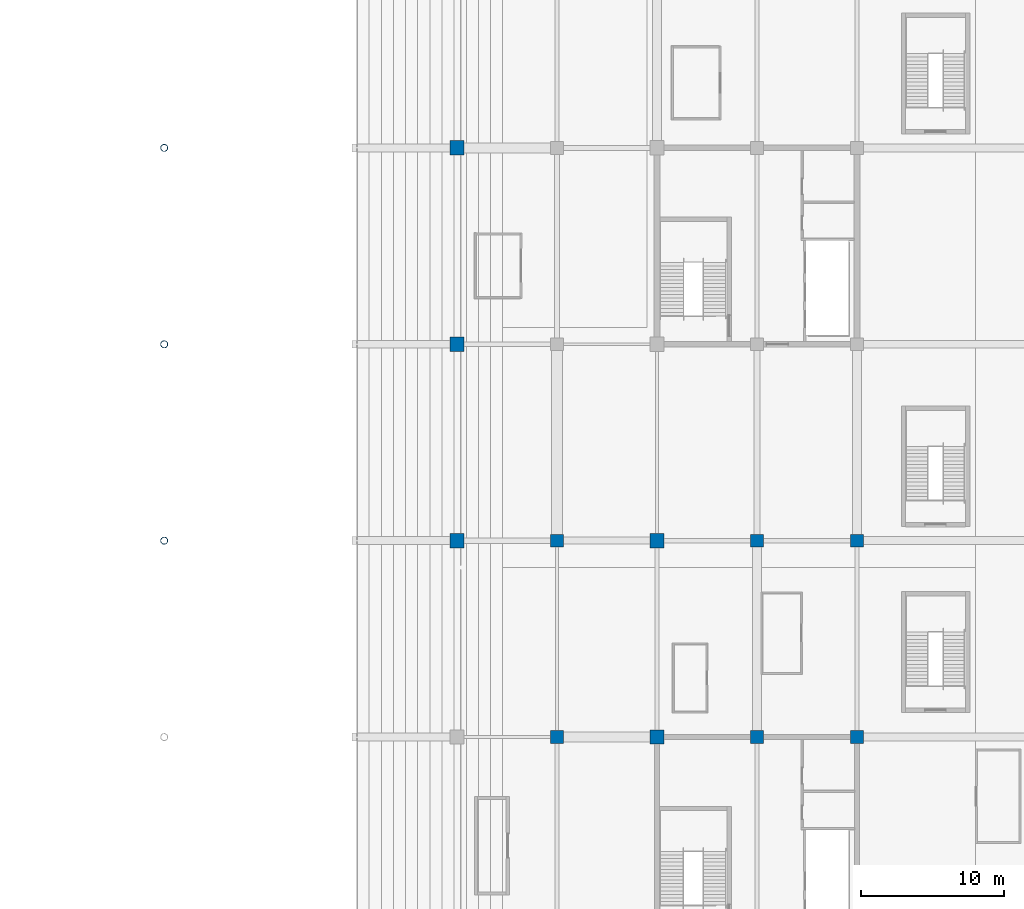
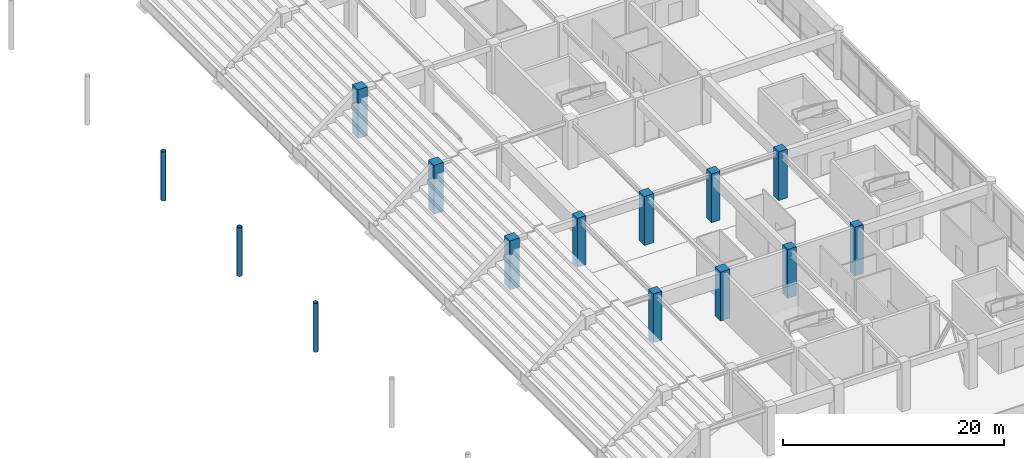
# One storey, part 13 of 117: 14 columns.
"""IFC4 building model written with IfcOpenShell, lengths in metres."""

import ifcopenshell
import ifcopenshell.guid

model = None  # the IFC model being written
_history = None  # IfcOwnerHistory: only IFC2X3 demands one
_inside = {}  # id of a spatial element -> (the spatial element, [elements in it])
_under = {}  # id of a project, library or spatial element -> (it, [spatial elements below it])
_declared = {}  # id of a project -> (the project, [libraries it declares])
_typed = {}  # id of a type object -> (the type object, [elements of that type])
_made_of = {}  # id of a material, layer set ... -> (it, [elements and type objects made of it])


def new_model(schema):
    """Start an empty IFC model of exactly this schema.

    Asked for "IFC4X3", IfcOpenShell would pick the latest addendum, in which some entities
    have other attributes; the version numbers below select the first issue.
    IFC2X3 requires an IfcOwnerHistory on every rooted entity: one is made here for all.
    """
    global model, _history
    if schema == "IFC4X3":
        model = ifcopenshell.file(schema_version=(4, 3, 0, 0))
    else:
        model = ifcopenshell.file(schema=schema)
    _inside.clear()
    _under.clear()
    _declared.clear()
    _typed.clear()
    _made_of.clear()
    _history = None
    if model.schema == "IFC2X3":
        org = make("IfcOrganization", Name="unknown")
        user = make(
            "IfcPersonAndOrganization",
            ThePerson=make("IfcPerson", FamilyName="unknown"),
            TheOrganization=org,
        )
        app = make(
            "IfcApplication",
            ApplicationDeveloper=org,
            Version="unknown",
            ApplicationFullName="unknown",
            ApplicationIdentifier="unknown",
        )
        _history = make(
            "IfcOwnerHistory",
            OwningUser=user,
            OwningApplication=app,
            ChangeAction="ADDED",
            CreationDate=0,
        )
    return model


def make(cls, **values):
    """One entity of the class cls with the attributes given. An attribute that is None is left unset."""
    return model.create_entity(
        cls, **{name: value for name, value in values.items() if value is not None}
    )


def rooted(cls, **values):
    """An entity with a GlobalId (a new one), such as an element, a storey or a relation."""
    return make(cls, GlobalId=ifcopenshell.guid.new(), OwnerHistory=_history, **values)


def si_unit(unit_type, name, prefix=None):
    """IfcSIUnit, for example si_unit("LENGTHUNIT", "METRE", prefix="MILLI")."""
    return make("IfcSIUnit", UnitType=unit_type, Prefix=prefix, Name=name)


def assignment(units):
    """IfcUnitAssignment: the units of a project."""
    return None if units is None else make("IfcUnitAssignment", Units=units)


def point(xyz):
    """IfcCartesianPoint."""
    return None if xyz is None else make("IfcCartesianPoint", Coordinates=xyz)


def direction(xyz):
    """IfcDirection."""
    return None if xyz is None else make("IfcDirection", DirectionRatios=xyz)


def frame(location, z_axis=None, x_axis=None):
    """IfcAxis2Placement3D, a coordinate frame: its origin and axes. An axis left out is left unset."""
    return make(
        "IfcAxis2Placement3D",
        Location=point(location),
        Axis=direction(z_axis),
        RefDirection=direction(x_axis),
    )


def frame_2d(location, x_axis=None):
    """IfcAxis2Placement2D, a coordinate frame in the plane: its origin and x axis."""
    return make(
        "IfcAxis2Placement2D", Location=point(location), RefDirection=direction(x_axis)
    )


def origin():
    """The frame at (0, 0, 0) with its axes left unset."""
    return frame((0.0, 0.0, 0.0))


def origin_2d():
    """The frame at (0, 0) in the plane with its x axis left unset."""
    return frame_2d((0.0, 0.0))


def place(relative_to, where):
    """IfcLocalPlacement: puts the frame where relative to a parent placement (None: the world)."""
    return make(
        "IfcLocalPlacement", PlacementRelTo=relative_to, RelativePlacement=where
    )


def context(
    kind, dimensions, precision=None, world=None, true_north=None, identifier=None
):
    """IfcGeometricRepresentationContext, for example the 3D "Model" context."""
    return make(
        "IfcGeometricRepresentationContext",
        ContextIdentifier=identifier,
        ContextType=kind,
        CoordinateSpaceDimension=dimensions,
        Precision=precision,
        WorldCoordinateSystem=world,
        TrueNorth=true_north,
    )


def subcontext(parent, identifier, kind, view, scale=None):
    """IfcGeometricRepresentationSubContext, for example "Body" below "Model"."""
    return make(
        "IfcGeometricRepresentationSubContext",
        ContextIdentifier=identifier,
        ContextType=kind,
        ParentContext=parent,
        TargetScale=scale,
        TargetView=view,
    )


def project(units=None, contexts=None):
    """IfcProject with its units and contexts."""
    return rooted(
        "IfcProject",
        Name="project",
        RepresentationContexts=contexts,
        UnitsInContext=assignment(units),
    )


def spatial(cls, under=None, at=None, **own):
    """A site, building, storey or space (cls), placed at a placement, below another one or the project."""
    s = rooted(cls, ObjectPlacement=at, **own)
    if under is not None:
        _under.setdefault(under.id(), (under, []))[1].append(s)
    return s


def profile(cls, at=None, kind="AREA", **sizes):
    """A parametric profile (cls). Its sizes go by their IFC names, for example OverallWidth=200.0."""
    return make(cls, ProfileType=kind, Position=at, **sizes)


def rectangle(**sizes):
    """IfcRectangleProfileDef."""
    return profile("IfcRectangleProfileDef", **sizes)


def hollow_circle(**sizes):
    """IfcCircleHollowProfileDef."""
    return profile("IfcCircleHollowProfileDef", **sizes)


def extrude(swept, where, along, depth):
    """IfcExtrudedAreaSolid: the profile swept, set in the frame where, extruded along a direction by depth."""
    return make(
        "IfcExtrudedAreaSolid",
        SweptArea=swept,
        Position=where,
        ExtrudedDirection=direction(along),
        Depth=depth,
    )


def shape(context_of_items, identifier, shape_type, items):
    """IfcShapeRepresentation: the items that make up one representation, for example the "Body"."""
    return make(
        "IfcShapeRepresentation",
        ContextOfItems=context_of_items,
        RepresentationIdentifier=identifier,
        RepresentationType=shape_type,
        Items=items,
    )


def material(Name=None, Category=None):
    """IfcMaterial."""
    return make("IfcMaterial", Name=Name, Category=Category)


def material_profile(
    of_material, cross_section, Name=None, Category=None, Priority=None
):
    """IfcMaterialProfile: a cross section and its material."""
    return make(
        "IfcMaterialProfile",
        Name=Name,
        Material=of_material,
        Profile=cross_section,
        Priority=Priority,
        Category=Category,
    )


def profile_set(profiles, Name=None, composite=None):
    """IfcMaterialProfileSet."""
    return make(
        "IfcMaterialProfileSet",
        Name=Name,
        MaterialProfiles=profiles,
        CompositeProfile=composite,
    )


def made_of(thing, what):
    """Note that an element or type object is made of a material, layer set ...; save() writes the relation."""
    if what is not None:
        _made_of.setdefault(what.id(), (what, []))[1].append(thing)
    return thing


def type_object(cls, material=None, **own):
    """A type object (cls), such as IfcWallType, which elements share."""
    return made_of(rooted(cls, **own), material)


def element(
    cls,
    number,
    at=None,
    inside=None,
    cuts=None,
    type_object=None,
    material=None,
    context=None,
    identifier="Body",
    shape_type=None,
    held_by="IfcProductDefinitionShape",
    body=None,
    shapes=None,
    **own,
):
    """One element of the class cls, such as IfcWall. Its Tag is "e" and its number.

    at: its placement. inside: the storey or other place that contains it. cuts: it is an
    opening in that element (IfcRelVoidsElement). A single representation is given by context,
    identifier, shape_type and body (its items); several are given by shapes. held_by: the class
    of the entity that holds the representations. save() writes the other relations.
    """
    e = rooted(cls, Tag="e%d" % number, ObjectPlacement=at, **own)
    if body is not None:
        shapes = [shape(context, identifier, shape_type, body)]
    if shapes is not None:
        e.Representation = make(held_by, Representations=shapes)
    if inside is not None:
        _inside.setdefault(inside.id(), (inside, []))[1].append(e)
    if cuts is not None:
        rooted(
            "IfcRelVoidsElement", RelatingBuildingElement=cuts, RelatedOpeningElement=e
        )
    if type_object is not None:
        _typed.setdefault(type_object.id(), (type_object, []))[1].append(e)
    return made_of(e, material)


def aggregate(whole, parts):
    """IfcRelAggregates: a whole, such as a stair, and the parts it consists of."""
    return rooted("IfcRelAggregates", RelatingObject=whole, RelatedObjects=parts)


def save(model, path):
    """Write the relations noted so far, then the file.

    IfcRelAggregates (storeys below a building ...), IfcRelContainedInSpatialStructure (elements
    in a storey), IfcRelDefinesByType, IfcRelAssociatesMaterial and IfcRelDeclares: one each for
    every whole, place, type object, material and project.
    """
    for whole, parts in _under.values():
        aggregate(whole, parts)
    for where, things in _inside.values():
        rooted(
            "IfcRelContainedInSpatialStructure",
            RelatedElements=things,
            RelatingStructure=where,
        )
    for kind, things in _typed.values():
        rooted("IfcRelDefinesByType", RelatedObjects=things, RelatingType=kind)
    for what, things in _made_of.values():
        rooted("IfcRelAssociatesMaterial", RelatedObjects=things, RelatingMaterial=what)
    for by, libraries in _declared.values():
        rooted("IfcRelDeclares", RelatingContext=by, RelatedDefinitions=libraries)
    model.write(path)


model = new_model("IFC4")

# Units and contexts
model_context = context("Model", 3, precision=1e-05, world=origin(), true_north=direction((0.0, 1.0)))
body_context = subcontext(model_context, "Body", "Model", "MODEL_VIEW")
ifc_project = project(units=[si_unit("LENGTHUNIT", "METRE"), si_unit("AREAUNIT", "SQUARE_METRE"), si_unit("VOLUMEUNIT", "CUBIC_METRE"), si_unit("PLANEANGLEUNIT", "RADIAN"), si_unit("MASSUNIT", "GRAM", prefix="KILO")], contexts=[model_context])

# Site, building, storey
site_placement = place(None, origin())
site = spatial("IfcSite", under=ifc_project, at=site_placement, CompositionType="ELEMENT")
building_placement = place(site_placement, origin())
building = spatial("IfcBuilding", under=site, at=building_placement, Name="Linyun Crest Stadium", CompositionType="ELEMENT")
storey_placement = place(building_placement, frame((0.0, 0.0, 6.0)))
storey = spatial("IfcBuildingStorey", under=building, at=storey_placement, Name="L02", CompositionType="ELEMENT", Elevation=6.0)

# Columns
ifc_material_1 = material(Name="Concrete C50", Category="concrete")
ifc_material_profile_1 = material_profile(ifc_material_1, rectangle(XDim=0.89990234375, YDim=0.89990234375, at=origin_2d()), Name="RC 900x900")
ifc_profile_set_1 = profile_set([ifc_material_profile_1], Name="Concrete C50")
column_type_1 = type_object("IfcColumnType", Name="C04", PredefinedType="COLUMN", material=ifc_profile_set_1)
for number, where, z_axis, x_axis, name in (
    (1, (63.0, -25.375, 0.0), (0.0, 0.0, 1.0), (1.0, 0.0, 0.0), "Column C04 L02 365"),
    (2, (63.0, -11.625, 0.0), (0.0, 0.0, 1.0), (1.0, 0.0, 0.0), "Column C04 L02 370"),
    (3, (77.0, -25.375, 0.0), (0.0, 0.0, 1.0), (1.0, 0.0, 0.0), "Column C04 L02 453"),
    (4, (77.0, -11.625, 0.0), (0.0, 0.0, 1.0), (1.0, 0.0, 0.0), "Column C04 L02 458"),
    (5, (84.0, -25.375, 0.0), (0.0, 0.0, 1.0), (1.0, 0.0, 0.0), "Column C04 L02 495"),
    (6, (84.0, -11.625, 0.0), (0.0, 0.0, 1.0), (1.0, 0.0, 0.0), "Column C04 L02 501"),
):
    element("IfcColumn", number, at=place(storey_placement, frame(where, z_axis=z_axis, x_axis=x_axis)), inside=storey, type_object=column_type_1, Name=name, PredefinedType="COLUMN", context=body_context, shape_type="SweptSolid", body=[
        extrude(rectangle(XDim=0.89990234375, YDim=0.89990234375, at=origin_2d()), origin(), (0.0, 0.0, 1.0), 5.39794921875),
    ])
ifc_material_2 = material(Name="Concrete C50", Category="concrete")
ifc_material_profile_2 = material_profile(ifc_material_2, rectangle(XDim=1.0, YDim=1.0, at=origin_2d()), Name="RC 1000x1000")
ifc_profile_set_2 = profile_set([ifc_material_profile_2], Name="Concrete C50")
column_type_2 = type_object("IfcColumnType", Name="C05", PredefinedType="COLUMN", material=ifc_profile_set_2)
for number, where, z_axis, x_axis, name in (
    (7, (56.0, -11.625, 0.0), (0.0, 0.0, 1.0), (1.0, 0.0, 0.0), "Column C05 L02 335"),
    (8, (56.0, 2.125, 0.0), (0.0, 0.0, 1.0), (1.0, 0.0, 0.0), "Column C05 L02 339"),
    (9, (56.0, 15.875, 0.0), (0.0, 0.0, 1.0), (1.0, 0.0, 0.0), "Column C05 L02 343"),
    (10, (70.0, -25.375, 0.0), (0.0, 0.0, 1.0), (1.0, 0.0, 0.0), "Column C05 L02 407"),
    (11, (70.0, -11.625, 0.0), (0.0, 0.0, 1.0), (1.0, 0.0, 0.0), "Column C05 L02 413"),
):
    element("IfcColumn", number, at=place(storey_placement, frame(where, z_axis=z_axis, x_axis=x_axis)), inside=storey, type_object=column_type_2, Name=name, PredefinedType="COLUMN", context=body_context, shape_type="SweptSolid", body=[
        extrude(rectangle(XDim=1.0, YDim=1.0, at=origin_2d()), origin(), (0.0, 0.0, 1.0), 5.39794921875),
    ])
ifc_material_3 = material(Name="Steel Q355C", Category="steel")
ifc_material_profile_3 = material_profile(ifc_material_3, hollow_circle(Radius=0.25390625, WallThickness=0.02490234375, at=origin_2d()), Name="CHS 508x25")
ifc_profile_set_3 = profile_set([ifc_material_profile_3], Name="Steel Q355C")
column_type_3 = type_object("IfcColumnType", Name="SC05", PredefinedType="COLUMN", material=ifc_profile_set_3)
for number, where, z_axis, x_axis, name in (
    (12, (35.5, -11.625, 0.0), (0.0, 0.0, 1.0), (1.0, 0.0, 0.0), "Arch colonnade column SC05 L02 24"),
    (13, (35.5, 2.125, 0.0), (0.0, 0.0, 1.0), (1.0, 0.0, 0.0), "Arch colonnade column SC05 L02 26"),
    (14, (35.5, 15.875, 0.0), (0.0, 0.0, 1.0), (1.0, 0.0, 0.0), "Arch colonnade column SC05 L02 28"),
):
    element("IfcColumn", number, at=place(storey_placement, frame(where, z_axis=z_axis, x_axis=x_axis)), inside=storey, type_object=column_type_3, Name=name, PredefinedType="COLUMN", context=body_context, shape_type="SweptSolid", body=[
        extrude(hollow_circle(Radius=0.25390625, WallThickness=0.02490234375, at=origin_2d()), origin(), (0.0, 0.0, 1.0), 5.39990234375),
    ])

save(model, "model.ifc")
